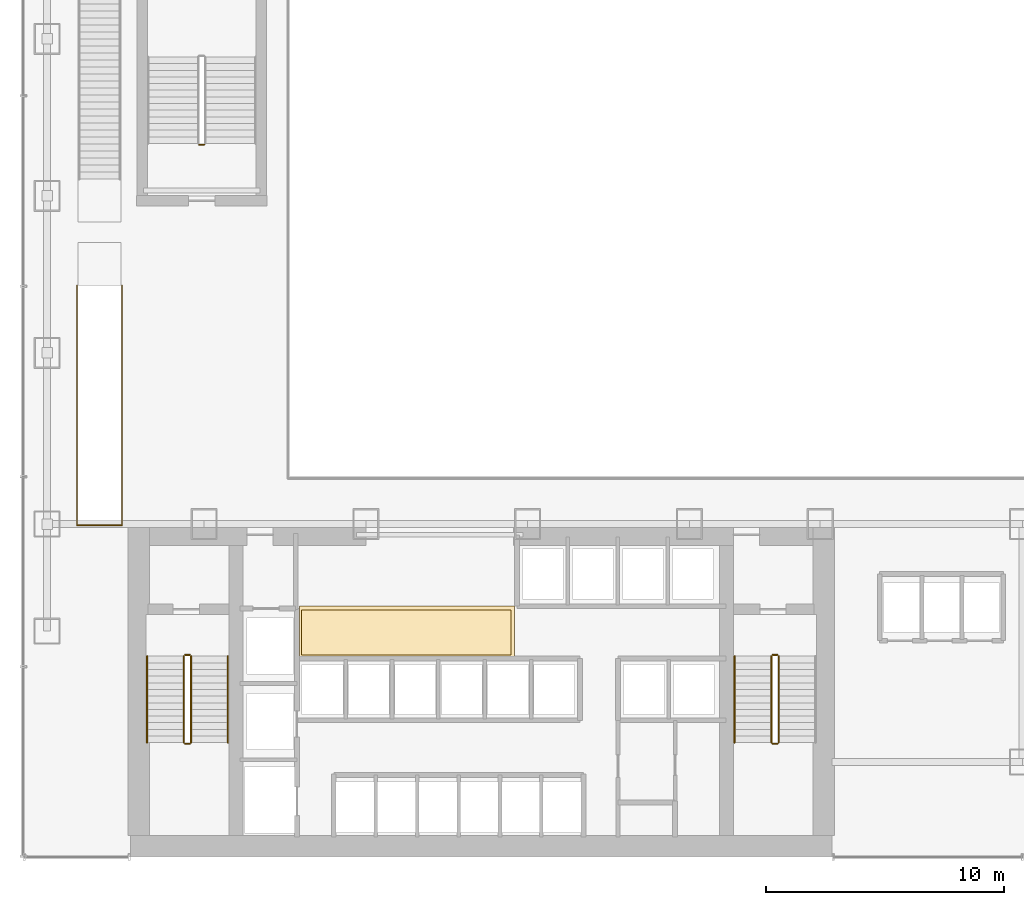
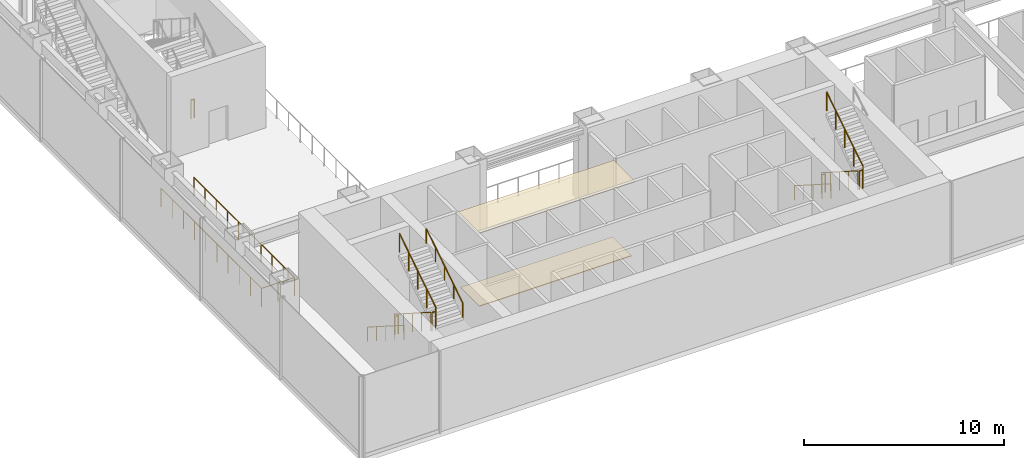
# One storey, part 32 of 40: 13 railings, 2 coverings.
"""IFC4 building model written with IfcOpenShell, lengths in metres."""

from ifc_helpers import new_model, si_unit, derived_unit, direction, frame, origin, origin_2d, place, context, subcontext, project, spatial, polyline, circle, outline, extrude, material, layer, layer_set, type_object, element, save


model = new_model("IFC4")

# Units and contexts
model_context = context("Model", 3, precision=1e-05, world=origin(), true_north=direction((0.0, 1.0)))
body_context = subcontext(model_context, "Body", "Model", "MODEL_VIEW")
ifc_project = project(units=[si_unit("LENGTHUNIT", "METRE"), si_unit("AREAUNIT", "SQUARE_METRE"), si_unit("VOLUMEUNIT", "CUBIC_METRE"), si_unit("PLANEANGLEUNIT", "RADIAN"), si_unit("MASSUNIT", "GRAM", prefix="KILO"), derived_unit("THERMALTRANSMITTANCEUNIT", [(si_unit("POWERUNIT", "WATT"), 1), (si_unit("LENGTHUNIT", "METRE"), -2), (si_unit("THERMODYNAMICTEMPERATUREUNIT", "KELVIN"), -1)])], contexts=[model_context])

# Site, building, storey
site_placement = place(None, origin())
site = spatial("IfcSite", under=ifc_project, at=site_placement, CompositionType="ELEMENT")
building_placement = place(site_placement, origin())
building = spatial("IfcBuilding", under=site, at=building_placement, Name="Skarnbrae Concourse Arena and Tower", CompositionType="ELEMENT")
storey_placement = place(building_placement, frame((0.0, 0.0, 6.0)))
storey = spatial("IfcBuildingStorey", under=building, at=storey_placement, Name="L01", CompositionType="ELEMENT", Elevation=6.0)

# Coverings
ifc_material_1 = material(Name="Mineral fibre acoustic ceiling tile", Category="other")
ifc_layer_1 = layer(ifc_material_1, 0.0400390625)
ifc_layer_set_1 = layer_set([ifc_layer_1], Name="Mineral fibre acoustic ceiling tile")
covering_type_1 = type_object("IfcCoveringType", Name="COV-CEIL-ACOUSTIC", PredefinedType="CEILING", material=ifc_layer_set_1)
covering_1_placement = place(storey_placement, frame((0.0, 0.0, 4.5400390625)))
element("IfcCovering", 1, at=covering_1_placement, inside=storey, type_object=covering_type_1, Name="L01 Lift lobby acoustic ceiling", PredefinedType="CEILING", context=body_context, shape_type="SweptSolid", body=[
    extrude(outline(polyline([(11.60009765625, 8.39990234375), (20.64990234375, 8.39990234375), (20.64990234375, 10.550048828125), (11.60009765625, 10.550048828125), (11.60009765625, 8.39990234375)])), origin(), (0.0, 0.0, 1.0), 0.0400390625),
])
ifc_material_2 = material(Name="Polished granite terrazzo flooring", Category="masonry")
ifc_layer_2 = layer(ifc_material_2, 0.0400390625)
ifc_layer_set_2 = layer_set([ifc_layer_2], Name="Polished granite terrazzo flooring")
covering_type_2 = type_object("IfcCoveringType", Name="COV-FLOOR-TERRAZZO", PredefinedType="FLOORING", material=ifc_layer_set_2)
covering_2_placement = place(storey_placement, origin())
element("IfcCovering", 2, at=covering_2_placement, inside=storey, type_object=covering_type_2, Name="L01 Lift lobby terrazzo flooring", PredefinedType="FLOORING", context=body_context, shape_type="SweptSolid", body=[
    extrude(outline(polyline([(11.699951171875, 8.5), (20.5, 8.5), (20.5, 10.39990234375), (11.699951171875, 10.39990234375), (11.699951171875, 8.5)])), origin(), (0.0, 0.0, 1.0), 0.0400390625),
])

# Railings
ifc_material_3 = material(Name="Steel CSA G40.21 350W", Category="steel")
railing_type_1 = type_object("IfcRailingType", Name="RAIL-HANDRAIL-900", PredefinedType="HANDRAIL", material=ifc_material_3)
railing_1_placement = place(storey_placement, frame((5.199951171875, 8.449951171875, 0.178466796875)))
element("IfcRailing", 3, at=railing_1_placement, inside=storey, type_object=railing_type_1, Name="L01 ST-1 stair handrail 1", PredefinedType="HANDRAIL", context=body_context, shape_type="SweptSolid", body=[
    extrude(circle(Radius=0.02392578125, at=origin_2d()), frame((0.0, 0.0, 0.8759765625), z_axis=(0.0, -0.843111507901, 0.53773877045), x_axis=(1.0, 0.0, 0.0)), (0.0, 0.0, 1.0), 4.317138671875),
    extrude(circle(Radius=0.02099609375, at=origin_2d()), origin(), (0.0, 0.0, 1.0), 0.851806640625),
    extrude(circle(Radius=0.02099609375, at=origin_2d()), frame((0.0, -0.909912109375, 0.580322265625)), (0.0, 0.0, 1.0), 0.851806640625),
    extrude(circle(Radius=0.02099609375, at=origin_2d()), frame((0.0, -1.81982421875, 1.16064453125)), (0.0, 0.0, 1.0), 0.851806640625),
    extrude(circle(Radius=0.02099609375, at=origin_2d()), frame((0.0, -2.72998046875, 1.7412109375)), (0.0, 0.0, 1.0), 0.851806640625),
    extrude(circle(Radius=0.02099609375, at=origin_2d()), frame((0.0, -3.639892578125, 2.321533203125)), (0.0, 0.0, 1.0), 0.851806640625),
])
railing_2_placement = place(storey_placement, frame((8.60009765625, 4.81005859375, 2.678466796875)))
element("IfcRailing", 4, at=railing_2_placement, inside=storey, type_object=railing_type_1, Name="L01 ST-1 stair handrail 2", PredefinedType="HANDRAIL", context=body_context, shape_type="SweptSolid", body=[
    extrude(circle(Radius=0.02392578125, at=origin_2d()), frame((0.0, 0.0, 0.8759765625), z_axis=(0.0, 0.843111507901, 0.53773877045), x_axis=(-1.0, 0.0, 0.0)), (0.0, 0.0, 1.0), 4.317138671875),
    extrude(circle(Radius=0.02099609375, at=origin_2d()), origin(), (0.0, 0.0, 1.0), 0.851806640625),
    extrude(circle(Radius=0.02099609375, at=origin_2d()), frame((0.0, 0.909912109375, 0.580322265625)), (0.0, 0.0, 1.0), 0.851806640625),
    extrude(circle(Radius=0.02099609375, at=origin_2d()), frame((0.0, 1.81982421875, 1.16064453125)), (0.0, 0.0, 1.0), 0.851806640625),
    extrude(circle(Radius=0.02099609375, at=origin_2d()), frame((0.0, 2.72998046875, 1.7412109375)), (0.0, 0.0, 1.0), 0.851806640625),
    extrude(circle(Radius=0.02099609375, at=origin_2d()), frame((0.0, 3.639892578125, 2.321533203125)), (0.0, 0.0, 1.0), 0.851806640625),
])
railing_3_placement = place(storey_placement, frame((29.89990234375, 8.449951171875, 0.178466796875)))
element("IfcRailing", 5, at=railing_3_placement, inside=storey, type_object=railing_type_1, Name="L01 ST-2 stair handrail 1", PredefinedType="HANDRAIL", context=body_context, shape_type="SweptSolid", body=[
    extrude(circle(Radius=0.02392578125, at=origin_2d()), frame((0.0, 0.0, 0.8759765625), z_axis=(0.0, -0.843111507901, 0.53773877045), x_axis=(1.0, 0.0, 0.0)), (0.0, 0.0, 1.0), 4.317138671875),
    extrude(circle(Radius=0.02099609375, at=origin_2d()), origin(), (0.0, 0.0, 1.0), 0.851806640625),
    extrude(circle(Radius=0.02099609375, at=origin_2d()), frame((0.0, -0.909912109375, 0.580322265625)), (0.0, 0.0, 1.0), 0.851806640625),
    extrude(circle(Radius=0.02099609375, at=origin_2d()), frame((0.0, -1.81982421875, 1.16064453125)), (0.0, 0.0, 1.0), 0.851806640625),
    extrude(circle(Radius=0.02099609375, at=origin_2d()), frame((0.0, -2.72998046875, 1.7412109375)), (0.0, 0.0, 1.0), 0.851806640625),
    extrude(circle(Radius=0.02099609375, at=origin_2d()), frame((0.0, -3.639892578125, 2.321533203125)), (0.0, 0.0, 1.0), 0.851806640625),
])
railing_type_2 = type_object("IfcRailingType", Name="RAIL-STAIR-GUARD-1150", PredefinedType="GUARDRAIL", material=ifc_material_3)
railing_4_placement = place(storey_placement, frame((6.75, 8.449951171875, 0.178466796875)))
element("IfcRailing", 6, at=railing_4_placement, inside=storey, type_object=railing_type_2, Name="L01 ST-1 stair guard 1", PredefinedType="GUARDRAIL", context=body_context, shape_type="SweptSolid", body=[
    extrude(circle(Radius=0.02392578125, at=origin_2d()), frame((0.0, 0.0, 1.1259765625), z_axis=(0.0, -0.843111507901, 0.53773877045), x_axis=(1.0, 0.0, 0.0)), (0.0, 0.0, 1.0), 4.317138671875),
    extrude(circle(Radius=0.02099609375, at=origin_2d()), origin(), (0.0, 0.0, 1.0), 1.101806640625),
    extrude(circle(Radius=0.02099609375, at=origin_2d()), frame((0.0, -0.909912109375, 0.580322265625)), (0.0, 0.0, 1.0), 1.101806640625),
    extrude(circle(Radius=0.02099609375, at=origin_2d()), frame((0.0, -1.81982421875, 1.16064453125)), (0.0, 0.0, 1.0), 1.101806640625),
    extrude(circle(Radius=0.02099609375, at=origin_2d()), frame((0.0, -2.72998046875, 1.7412109375)), (0.0, 0.0, 1.0), 1.101806640625),
    extrude(circle(Radius=0.02099609375, at=origin_2d()), frame((0.0, -3.639892578125, 2.321533203125)), (0.0, 0.0, 1.0), 1.101806640625),
])
railing_5_placement = place(storey_placement, frame((6.800048828125, 4.760009765625, 2.5)))
element("IfcRailing", 7, at=railing_5_placement, inside=storey, type_object=railing_type_2, Name="L01 ST-1 stair guard 2", PredefinedType="GUARDRAIL", context=body_context, shape_type="SweptSolid", body=[
    extrude(circle(Radius=0.02392578125, at=origin_2d()), frame((0.0, 0.0, 1.1259765625), z_axis=(1.0, 0.0, 0.0), x_axis=(0.0, 1.0, 0.0)), (0.0, 0.0, 1.0), 0.199951171875),
    extrude(circle(Radius=0.02099609375, at=origin_2d()), origin(), (0.0, 0.0, 1.0), 1.101806640625),
    extrude(circle(Radius=0.02099609375, at=origin_2d()), frame((0.199951171875, 0.0, 0.0)), (0.0, 0.0, 1.0), 1.101806640625),
])
railing_6_placement = place(storey_placement, frame((7.050048828125, 4.81005859375, 2.678466796875)))
element("IfcRailing", 8, at=railing_6_placement, inside=storey, type_object=railing_type_2, Name="L01 ST-1 stair guard 3", PredefinedType="GUARDRAIL", context=body_context, shape_type="SweptSolid", body=[
    extrude(circle(Radius=0.02392578125, at=origin_2d()), frame((0.0, 0.0, 1.1259765625), z_axis=(0.0, 0.843111507901, 0.53773877045), x_axis=(-1.0, 0.0, 0.0)), (0.0, 0.0, 1.0), 4.317138671875),
    extrude(circle(Radius=0.02099609375, at=origin_2d()), origin(), (0.0, 0.0, 1.0), 1.101806640625),
    extrude(circle(Radius=0.02099609375, at=origin_2d()), frame((0.0, 0.909912109375, 0.580322265625)), (0.0, 0.0, 1.0), 1.101806640625),
    extrude(circle(Radius=0.02099609375, at=origin_2d()), frame((0.0, 1.81982421875, 1.16064453125)), (0.0, 0.0, 1.0), 1.101806640625),
    extrude(circle(Radius=0.02099609375, at=origin_2d()), frame((0.0, 2.72998046875, 1.7412109375)), (0.0, 0.0, 1.0), 1.101806640625),
    extrude(circle(Radius=0.02099609375, at=origin_2d()), frame((0.0, 3.639892578125, 2.321533203125)), (0.0, 0.0, 1.0), 1.101806640625),
])
railing_7_placement = place(storey_placement, frame((6.800048828125, 8.5, 0.0)))
element("IfcRailing", 9, at=railing_7_placement, inside=storey, type_object=railing_type_2, Name="L01 ST-1 stair guard 4", PredefinedType="GUARDRAIL", context=body_context, shape_type="SweptSolid", body=[
    extrude(circle(Radius=0.02392578125, at=origin_2d()), frame((0.0, 0.0, 1.1259765625), z_axis=(1.0, 0.0, 0.0), x_axis=(0.0, 1.0, 0.0)), (0.0, 0.0, 1.0), 0.199951171875),
    extrude(circle(Radius=0.02099609375, at=origin_2d()), origin(), (0.0, 0.0, 1.0), 1.101806640625),
    extrude(circle(Radius=0.02099609375, at=origin_2d()), frame((0.199951171875, 0.0, 0.0)), (0.0, 0.0, 1.0), 1.101806640625),
])
railing_8_placement = place(storey_placement, frame((31.449951171875, 8.449951171875, 0.178466796875)))
element("IfcRailing", 10, at=railing_8_placement, inside=storey, type_object=railing_type_2, Name="L01 ST-2 stair guard 1", PredefinedType="GUARDRAIL", context=body_context, shape_type="SweptSolid", body=[
    extrude(circle(Radius=0.02392578125, at=origin_2d()), frame((0.0, 0.0, 1.1259765625), z_axis=(0.0, -0.843111507901, 0.53773877045), x_axis=(1.0, 0.0, 0.0)), (0.0, 0.0, 1.0), 4.317138671875),
    extrude(circle(Radius=0.02099609375, at=origin_2d()), origin(), (0.0, 0.0, 1.0), 1.101806640625),
    extrude(circle(Radius=0.02099609375, at=origin_2d()), frame((0.0, -0.909912109375, 0.580322265625)), (0.0, 0.0, 1.0), 1.101806640625),
    extrude(circle(Radius=0.02099609375, at=origin_2d()), frame((0.0, -1.81982421875, 1.16064453125)), (0.0, 0.0, 1.0), 1.101806640625),
    extrude(circle(Radius=0.02099609375, at=origin_2d()), frame((0.0, -2.72998046875, 1.7412109375)), (0.0, 0.0, 1.0), 1.101806640625),
    extrude(circle(Radius=0.02099609375, at=origin_2d()), frame((0.0, -3.639892578125, 2.321533203125)), (0.0, 0.0, 1.0), 1.101806640625),
])
railing_9_placement = place(storey_placement, frame((31.5, 4.760009765625, 2.5)))
element("IfcRailing", 11, at=railing_9_placement, inside=storey, type_object=railing_type_2, Name="L01 ST-2 stair guard 2", PredefinedType="GUARDRAIL", context=body_context, shape_type="SweptSolid", body=[
    extrude(circle(Radius=0.02392578125, at=origin_2d()), frame((0.0, 0.0, 1.1259765625), z_axis=(1.0, 0.0, 0.0), x_axis=(0.0, 1.0, 0.0)), (0.0, 0.0, 1.0), 0.199951171875),
    extrude(circle(Radius=0.02099609375, at=origin_2d()), origin(), (0.0, 0.0, 1.0), 1.101806640625),
    extrude(circle(Radius=0.02099609375, at=origin_2d()), frame((0.199951171875, 0.0, 0.0)), (0.0, 0.0, 1.0), 1.101806640625),
])
railing_10_placement = place(storey_placement, frame((31.75, 4.81005859375, 2.678466796875)))
element("IfcRailing", 12, at=railing_10_placement, inside=storey, type_object=railing_type_2, Name="L01 ST-2 stair guard 3", PredefinedType="GUARDRAIL", context=body_context, shape_type="SweptSolid", body=[
    extrude(circle(Radius=0.02392578125, at=origin_2d()), frame((0.0, 0.0, 1.1259765625), z_axis=(0.0, 0.843111507901, 0.53773877045), x_axis=(-1.0, 0.0, 0.0)), (0.0, 0.0, 1.0), 4.317138671875),
    extrude(circle(Radius=0.02099609375, at=origin_2d()), origin(), (0.0, 0.0, 1.0), 1.101806640625),
    extrude(circle(Radius=0.02099609375, at=origin_2d()), frame((0.0, 0.909912109375, 0.580322265625)), (0.0, 0.0, 1.0), 1.101806640625),
    extrude(circle(Radius=0.02099609375, at=origin_2d()), frame((0.0, 1.81982421875, 1.16064453125)), (0.0, 0.0, 1.0), 1.101806640625),
    extrude(circle(Radius=0.02099609375, at=origin_2d()), frame((0.0, 2.72998046875, 1.7412109375)), (0.0, 0.0, 1.0), 1.101806640625),
    extrude(circle(Radius=0.02099609375, at=origin_2d()), frame((0.0, 3.639892578125, 2.321533203125)), (0.0, 0.0, 1.0), 1.101806640625),
])
railing_11_placement = place(storey_placement, frame((31.5, 8.5, 0.0)))
element("IfcRailing", 13, at=railing_11_placement, inside=storey, type_object=railing_type_2, Name="L01 ST-2 stair guard 4", PredefinedType="GUARDRAIL", context=body_context, shape_type="SweptSolid", body=[
    extrude(circle(Radius=0.02392578125, at=origin_2d()), frame((0.0, 0.0, 1.1259765625), z_axis=(1.0, 0.0, 0.0), x_axis=(0.0, 1.0, 0.0)), (0.0, 0.0, 1.0), 0.199951171875),
    extrude(circle(Radius=0.02099609375, at=origin_2d()), origin(), (0.0, 0.0, 1.0), 1.101806640625),
    extrude(circle(Radius=0.02099609375, at=origin_2d()), frame((0.199951171875, 0.0, 0.0)), (0.0, 0.0, 1.0), 1.101806640625),
])
railing_12_placement = place(storey_placement, frame((7.60009765625, 29.949951171875, 0.0)))
element("IfcRailing", 14, at=railing_12_placement, inside=storey, type_object=railing_type_2, Name="L01 ST-A3 stair guard 4", PredefinedType="GUARDRAIL", context=body_context, shape_type="SweptSolid", body=[
    extrude(circle(Radius=0.02392578125, at=origin_2d()), frame((0.0, 0.0, 1.1259765625), z_axis=(-1.0, 0.0, 0.0), x_axis=(0.0, -1.0, 0.0)), (0.0, 0.0, 1.0), 0.2001953125),
    extrude(circle(Radius=0.02099609375, at=origin_2d()), origin(), (0.0, 0.0, 1.0), 1.101806640625),
    extrude(circle(Radius=0.02099609375, at=origin_2d()), frame((-0.2001953125, 0.0, 0.0)), (0.0, 0.0, 1.0), 1.101806640625),
])
railing_13_placement = place(storey_placement, frame((4.14990234375, 24.030029296875, 0.0)))
element("IfcRailing", 15, at=railing_13_placement, inside=storey, type_object=railing_type_2, Name="ST-CONC-2 Upper well guardrail L01", PredefinedType="GUARDRAIL", context=body_context, shape_type="SweptSolid", body=[
    extrude(circle(Radius=0.02392578125, at=origin_2d()), frame((0.0, 0.0, 1.1259765625), z_axis=(0.0, -1.0, 0.0), x_axis=(1.0, 0.0, 0.0)), (0.0, 0.0, 1.0), 10.080078125),
    extrude(circle(Radius=0.02392578125, at=origin_2d()), frame((0.0, -10.080078125, 1.1259765625), z_axis=(-1.0, 0.0, 0.0), x_axis=(0.0, -1.0, 0.0)), (0.0, 0.0, 1.0), 1.89990234375),
    extrude(circle(Radius=0.02392578125, at=origin_2d()), frame((-1.89990234375, -10.080078125, 1.1259765625), z_axis=(0.0, 1.0, 0.0), x_axis=(-1.0, 0.0, 0.0)), (0.0, 0.0, 1.0), 10.080078125),
    extrude(circle(Radius=0.02099609375, at=origin_2d()), origin(), (0.0, 0.0, 1.0), 1.101806640625),
    extrude(circle(Radius=0.02099609375, at=origin_2d()), frame((0.0, -1.1201171875, 0.0)), (0.0, 0.0, 1.0), 1.101806640625),
    extrude(circle(Radius=0.02099609375, at=origin_2d()), frame((0.0, -2.239990234375, 0.0)), (0.0, 0.0, 1.0), 1.101806640625),
    extrude(circle(Radius=0.02099609375, at=origin_2d()), frame((0.0, -3.360107421875, 0.0)), (0.0, 0.0, 1.0), 1.101806640625),
    extrude(circle(Radius=0.02099609375, at=origin_2d()), frame((0.0, -4.47998046875, 0.0)), (0.0, 0.0, 1.0), 1.101806640625),
    extrude(circle(Radius=0.02099609375, at=origin_2d()), frame((0.0, -5.60009765625, 0.0)), (0.0, 0.0, 1.0), 1.101806640625),
    extrude(circle(Radius=0.02099609375, at=origin_2d()), frame((0.0, -6.719970703125, 0.0)), (0.0, 0.0, 1.0), 1.101806640625),
    extrude(circle(Radius=0.02099609375, at=origin_2d()), frame((0.0, -7.840087890625, 0.0)), (0.0, 0.0, 1.0), 1.101806640625),
    extrude(circle(Radius=0.02099609375, at=origin_2d()), frame((0.0, -8.9599609375, 0.0)), (0.0, 0.0, 1.0), 1.101806640625),
    extrude(circle(Radius=0.02099609375, at=origin_2d()), frame((0.0, -10.080078125, 0.0)), (0.0, 0.0, 1.0), 1.101806640625),
    extrude(circle(Radius=0.02099609375, at=origin_2d()), frame((-0.949951171875, -10.080078125, 0.0)), (0.0, 0.0, 1.0), 1.101806640625),
    extrude(circle(Radius=0.02099609375, at=origin_2d()), frame((-1.89990234375, -10.080078125, 0.0)), (0.0, 0.0, 1.0), 1.101806640625),
    extrude(circle(Radius=0.02099609375, at=origin_2d()), frame((-1.89990234375, -8.9599609375, 0.0)), (0.0, 0.0, 1.0), 1.101806640625),
    extrude(circle(Radius=0.02099609375, at=origin_2d()), frame((-1.89990234375, -7.840087890625, 0.0)), (0.0, 0.0, 1.0), 1.101806640625),
    extrude(circle(Radius=0.02099609375, at=origin_2d()), frame((-1.89990234375, -6.719970703125, 0.0)), (0.0, 0.0, 1.0), 1.101806640625),
    extrude(circle(Radius=0.02099609375, at=origin_2d()), frame((-1.89990234375, -5.60009765625, 0.0)), (0.0, 0.0, 1.0), 1.101806640625),
    extrude(circle(Radius=0.02099609375, at=origin_2d()), frame((-1.89990234375, -4.47998046875, 0.0)), (0.0, 0.0, 1.0), 1.101806640625),
    extrude(circle(Radius=0.02099609375, at=origin_2d()), frame((-1.89990234375, -3.360107421875, 0.0)), (0.0, 0.0, 1.0), 1.101806640625),
    extrude(circle(Radius=0.02099609375, at=origin_2d()), frame((-1.89990234375, -2.239990234375, 0.0)), (0.0, 0.0, 1.0), 1.101806640625),
    extrude(circle(Radius=0.02099609375, at=origin_2d()), frame((-1.89990234375, -1.1201171875, 0.0)), (0.0, 0.0, 1.0), 1.101806640625),
    extrude(circle(Radius=0.02099609375, at=origin_2d()), frame((-1.89990234375, 0.0, 0.0)), (0.0, 0.0, 1.0), 1.101806640625),
])

save(model, "model.ifc")
